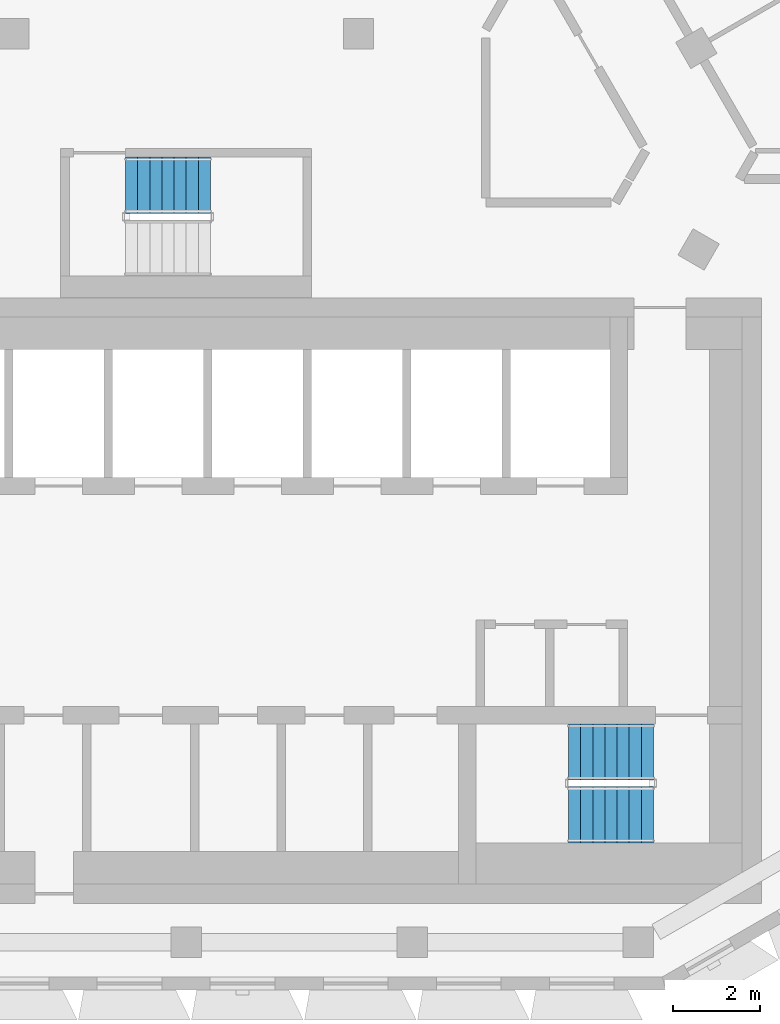
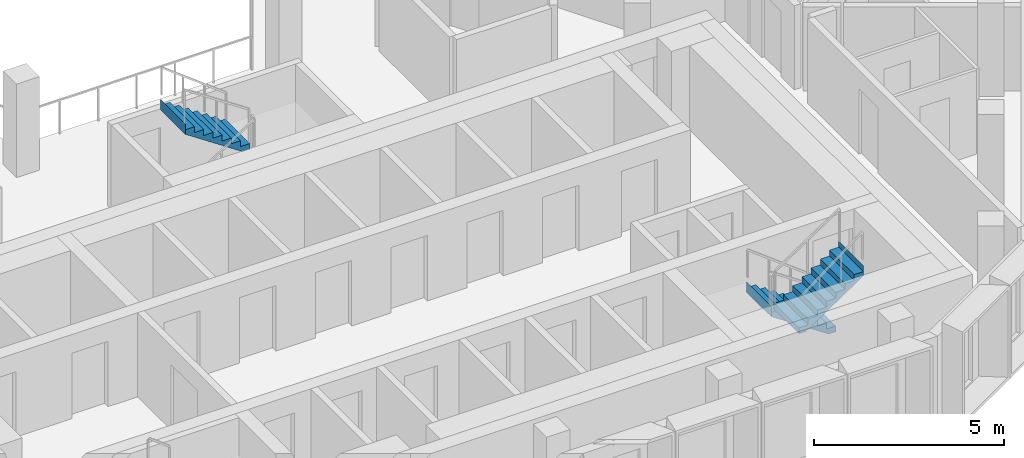
# One storey, part 11 of 16: 3 stair flights, 2 elements without a shape of their own.
"""IFC4 building model written with IfcOpenShell, lengths in metres."""

from ifc_helpers import new_model, si_unit, direction, frame, origin, place, context, subcontext, project, spatial, triangles, material, type_object, element, aggregate, save


model = new_model("IFC4")

# Units and contexts
model_context = context("Model", 3, precision=1e-05, world=origin(), true_north=direction((0.0, 1.0)))
body_context = subcontext(model_context, "Body", "Model", "MODEL_VIEW")
ifc_project = project(units=[si_unit("LENGTHUNIT", "METRE"), si_unit("AREAUNIT", "SQUARE_METRE"), si_unit("VOLUMEUNIT", "CUBIC_METRE"), si_unit("PLANEANGLEUNIT", "RADIAN"), si_unit("MASSUNIT", "GRAM", prefix="KILO")], contexts=[model_context])

# Site, building, storey
site_placement = place(None, origin())
site = spatial("IfcSite", under=ifc_project, at=site_placement, CompositionType="ELEMENT")
building_placement = place(site_placement, origin())
building = spatial("IfcBuilding", under=site, at=building_placement, Name="Beryl Residences", CompositionType="ELEMENT")
storey_placement = place(building_placement, frame((0.0, 0.0, 226.800048828125)))
storey = spatial("IfcBuildingStorey", under=building, at=storey_placement, Name="L70", CompositionType="ELEMENT", Elevation=226.800048828125)

# Stair, stair flights
ifc_material_1 = material(Name="Concrete C40/50", Category="concrete")
stair_type = type_object("IfcStairType", Name="ST1 protected exit stair, half-turn, 1300 mm flights", PredefinedType="HALF_TURN_STAIR", material=ifc_material_1)
stair_1_placement = place(storey_placement, origin())
stair_1 = element("IfcStair", 1, at=stair_1_placement, inside=storey, type_object=stair_type, Name="L70 PROTECTED EXIT STAIR ST-3", PredefinedType="HALF_TURN_STAIR")
ifc_material_2 = material(Name="Concrete C40/50", Category="concrete")
stair_flight_type = type_object("IfcStairFlightType", Name="SF1 stair flight 1300 mm", PredefinedType="STRAIGHT", material=ifc_material_2)
stair_flight_1_placement = place(storey_placement, frame((10.800048828125, -15.5, 0.0), z_axis=(0.0, 0.0, 1.0), x_axis=(-1.0, 0.0, 0.0)))
stair_flight_1 = element("IfcStairFlight", 2, at=stair_flight_1_placement, type_object=stair_flight_type, Name="ST-3 flight 1", NumberOfRisers=8, NumberOfTreads=7, PredefinedType="STRAIGHT", RiserHeight=0.1875, TreadLength=0.28, context=body_context, shape_type="Tessellation", body=[
    triangles([(0.0, -0.64990234375, 0.0), (0.0, -0.324951171875, 0.0), (0.0, 0.0, 0.0), (0.0, 0.324951171875, 0.0), (0.0, 0.64990234375, 0.0), (0.0, -0.64990234375, 0.1875), (0.0, -0.324951171875, 0.1875), (0.0, 0.0, 0.1875), (0.0, 0.324951171875, 0.1875), (0.0, 0.64990234375, 0.1875), (0.280029296875, -0.64990234375, 0.1875), (0.280029296875, -0.324951171875, 0.1875), (0.280029296875, 0.0, 0.1875), (0.280029296875, 0.324951171875, 0.1875), (0.280029296875, 0.64990234375, 0.1875), (0.280029296875, -0.64990234375, 0.375), (0.280029296875, -0.324951171875, 0.375), (0.280029296875, 0.0, 0.375), (0.280029296875, 0.324951171875, 0.375), (0.280029296875, 0.64990234375, 0.375), (0.56005859375, -0.64990234375, 0.375), (0.56005859375, -0.324951171875, 0.375), (0.56005859375, 0.0, 0.375), (0.56005859375, 0.324951171875, 0.375), (0.56005859375, 0.64990234375, 0.375), (0.56005859375, -0.64990234375, 0.5625), (0.56005859375, -0.324951171875, 0.5625), (0.56005859375, 0.0, 0.5625), (0.56005859375, 0.324951171875, 0.5625), (0.56005859375, 0.64990234375, 0.5625), (0.840087890625, -0.64990234375, 0.5625), (0.840087890625, -0.324951171875, 0.5625), (0.840087890625, 0.0, 0.5625), (0.840087890625, 0.324951171875, 0.5625), (0.840087890625, 0.64990234375, 0.5625), (0.840087890625, -0.64990234375, 0.75), (0.840087890625, -0.324951171875, 0.75), (0.840087890625, 0.0, 0.75), (0.840087890625, 0.324951171875, 0.75), (0.840087890625, 0.64990234375, 0.75), (1.1201171875, -0.64990234375, 0.75), (1.1201171875, -0.324951171875, 0.75), (1.1201171875, 0.0, 0.75), (1.1201171875, 0.324951171875, 0.75), (1.1201171875, 0.64990234375, 0.75), (1.1201171875, -0.64990234375, 0.9375), (1.1201171875, -0.324951171875, 0.9375), (1.1201171875, 0.0, 0.9375), (1.1201171875, 0.324951171875, 0.9375), (1.1201171875, 0.64990234375, 0.9375), (1.39990234375, -0.64990234375, 0.9375), (1.39990234375, -0.324951171875, 0.9375), (1.39990234375, 0.0, 0.9375), (1.39990234375, 0.324951171875, 0.9375), (1.39990234375, 0.64990234375, 0.9375), (1.39990234375, -0.64990234375, 1.125), (1.39990234375, -0.324951171875, 1.125), (1.39990234375, 0.0, 1.125), (1.39990234375, 0.324951171875, 1.125), (1.39990234375, 0.64990234375, 1.125), (1.679931640625, -0.64990234375, 1.125), (1.679931640625, -0.324951171875, 1.125), (1.679931640625, 0.0, 1.125), (1.679931640625, 0.324951171875, 1.125), (1.679931640625, 0.64990234375, 1.125), (1.679931640625, -0.64990234375, 1.3125), (1.679931640625, -0.324951171875, 1.3125), (1.679931640625, 0.0, 1.3125), (1.679931640625, 0.324951171875, 1.3125), (1.679931640625, 0.64990234375, 1.3125), (1.9599609375, -0.64990234375, 1.3125), (1.9599609375, -0.324951171875, 1.3125), (1.9599609375, 0.0, 1.3125), (1.9599609375, 0.324951171875, 1.3125), (1.9599609375, 0.64990234375, 1.3125), (1.9599609375, -0.64990234375, 1.5), (1.9599609375, -0.324951171875, 1.5), (1.9599609375, 0.0, 1.5), (1.9599609375, 0.324951171875, 1.5), (1.9599609375, 0.64990234375, 1.5), (1.9609375, -0.64990234375, 1.5), (1.9609375, -0.324951171875, 1.5), (1.9609375, 0.0, 1.5), (1.9609375, 0.324951171875, 1.5), (1.9609375, 0.64990234375, 1.5), (1.9609375, -0.64990234375, 1.16796875), (1.9609375, -0.324951171875, 1.16796875), (1.9609375, 0.0, 1.16796875), (1.9609375, 0.324951171875, 1.16796875), (1.9609375, 0.64990234375, 1.16796875), (0.216796875, -0.64990234375, 0.0), (0.216796875, -0.324951171875, 0.0), (0.216796875, 0.0, 0.0), (0.216796875, 0.324951171875, 0.0), (0.216796875, 0.64990234375, 0.0)], [[1, 6, 7], [1, 7, 2], [2, 7, 8], [2, 8, 3], [3, 8, 9], [3, 9, 4], [4, 9, 10], [4, 10, 5], [6, 11, 12], [6, 12, 7], [7, 12, 13], [7, 13, 8], [8, 13, 14], [8, 14, 9], [9, 14, 15], [9, 15, 10], [11, 16, 17], [11, 17, 12], [12, 17, 18], [12, 18, 13], [13, 18, 19], [13, 19, 14], [14, 19, 20], [14, 20, 15], [16, 21, 22], [16, 22, 17], [17, 22, 23], [17, 23, 18], [18, 23, 24], [18, 24, 19], [19, 24, 25], [19, 25, 20], [21, 26, 27], [21, 27, 22], [22, 27, 28], [22, 28, 23], [23, 28, 29], [23, 29, 24], [24, 29, 30], [24, 30, 25], [26, 31, 32], [26, 32, 27], [27, 32, 33], [27, 33, 28], [28, 33, 34], [28, 34, 29], [29, 34, 35], [29, 35, 30], [31, 36, 37], [31, 37, 32], [32, 37, 38], [32, 38, 33], [33, 38, 39], [33, 39, 34], [34, 39, 40], [34, 40, 35], [36, 41, 42], [36, 42, 37], [37, 42, 43], [37, 43, 38], [38, 43, 44], [38, 44, 39], [39, 44, 45], [39, 45, 40], [41, 46, 47], [41, 47, 42], [42, 47, 48], [42, 48, 43], [43, 48, 49], [43, 49, 44], [44, 49, 50], [44, 50, 45], [46, 51, 52], [46, 52, 47], [47, 52, 53], [47, 53, 48], [48, 53, 54], [48, 54, 49], [49, 54, 55], [49, 55, 50], [51, 56, 57], [51, 57, 52], [52, 57, 58], [52, 58, 53], [53, 58, 59], [53, 59, 54], [54, 59, 60], [54, 60, 55], [56, 61, 62], [56, 62, 57], [57, 62, 63], [57, 63, 58], [58, 63, 64], [58, 64, 59], [59, 64, 65], [59, 65, 60], [61, 66, 67], [61, 67, 62], [62, 67, 68], [62, 68, 63], [63, 68, 69], [63, 69, 64], [64, 69, 70], [64, 70, 65], [66, 71, 72], [66, 72, 67], [67, 72, 73], [67, 73, 68], [68, 73, 74], [68, 74, 69], [69, 74, 75], [69, 75, 70], [71, 76, 77], [71, 77, 72], [72, 77, 78], [72, 78, 73], [73, 78, 79], [73, 79, 74], [74, 79, 80], [74, 80, 75], [76, 81, 82], [76, 82, 77], [77, 82, 83], [77, 83, 78], [78, 83, 84], [78, 84, 79], [79, 84, 85], [79, 85, 80], [81, 86, 87], [81, 87, 82], [82, 87, 88], [82, 88, 83], [83, 88, 89], [83, 89, 84], [84, 89, 90], [84, 90, 85], [86, 91, 92], [86, 92, 87], [87, 92, 93], [87, 93, 88], [88, 93, 94], [88, 94, 89], [89, 94, 95], [89, 95, 90], [91, 1, 2], [91, 2, 92], [92, 2, 3], [92, 3, 93], [93, 3, 4], [93, 4, 94], [94, 4, 5], [94, 5, 95], [1, 91, 86], [5, 90, 95], [86, 81, 76], [90, 80, 85], [86, 76, 71], [90, 75, 80], [86, 71, 66], [90, 70, 75], [86, 66, 61], [90, 65, 70], [61, 56, 51], [65, 55, 60], [86, 61, 51], [90, 55, 65], [51, 46, 41], [55, 45, 50], [86, 51, 41], [90, 45, 55], [41, 36, 31], [45, 35, 40], [86, 41, 31], [90, 35, 45], [31, 26, 21], [35, 25, 30], [86, 31, 21], [90, 25, 35], [21, 16, 11], [25, 15, 20], [86, 21, 11], [90, 15, 25], [1, 86, 11], [5, 15, 90], [11, 6, 1], [15, 5, 10]], closed=True),
])
stair_flight_2_placement = place(storey_placement, frame((8.840087890625, -16.949951171875, 1.5), z_axis=(0.0, 0.0, 1.0), x_axis=(1.0, 0.0, 0.0)))
stair_flight_2 = element("IfcStairFlight", 3, at=stair_flight_2_placement, type_object=stair_flight_type, Name="ST-3 flight 2", NumberOfRisers=8, NumberOfTreads=7, PredefinedType="STRAIGHT", RiserHeight=0.1875, TreadLength=0.28, context=body_context, shape_type="Tessellation", body=[
    triangles([(0.0, -0.64990234375, 0.0), (0.0, -0.324951171875, 0.0), (0.0, 0.0, 0.0), (0.0, 0.324951171875, 0.0), (0.0, 0.64990234375, 0.0), (0.0, -0.64990234375, 0.1875), (0.0, -0.324951171875, 0.1875), (0.0, 0.0, 0.1875), (0.0, 0.324951171875, 0.1875), (0.0, 0.64990234375, 0.1875), (0.280029296875, -0.64990234375, 0.1875), (0.280029296875, -0.324951171875, 0.1875), (0.280029296875, 0.0, 0.1875), (0.280029296875, 0.324951171875, 0.1875), (0.280029296875, 0.64990234375, 0.1875), (0.280029296875, -0.64990234375, 0.375), (0.280029296875, -0.324951171875, 0.375), (0.280029296875, 0.0, 0.375), (0.280029296875, 0.324951171875, 0.375), (0.280029296875, 0.64990234375, 0.375), (0.56005859375, -0.64990234375, 0.375), (0.56005859375, -0.324951171875, 0.375), (0.56005859375, 0.0, 0.375), (0.56005859375, 0.324951171875, 0.375), (0.56005859375, 0.64990234375, 0.375), (0.56005859375, -0.64990234375, 0.5625), (0.56005859375, -0.324951171875, 0.5625), (0.56005859375, 0.0, 0.5625), (0.56005859375, 0.324951171875, 0.5625), (0.56005859375, 0.64990234375, 0.5625), (0.840087890625, -0.64990234375, 0.5625), (0.840087890625, -0.324951171875, 0.5625), (0.840087890625, 0.0, 0.5625), (0.840087890625, 0.324951171875, 0.5625), (0.840087890625, 0.64990234375, 0.5625), (0.840087890625, -0.64990234375, 0.75), (0.840087890625, -0.324951171875, 0.75), (0.840087890625, 0.0, 0.75), (0.840087890625, 0.324951171875, 0.75), (0.840087890625, 0.64990234375, 0.75), (1.1201171875, -0.64990234375, 0.75), (1.1201171875, -0.324951171875, 0.75), (1.1201171875, 0.0, 0.75), (1.1201171875, 0.324951171875, 0.75), (1.1201171875, 0.64990234375, 0.75), (1.1201171875, -0.64990234375, 0.9375), (1.1201171875, -0.324951171875, 0.9375), (1.1201171875, 0.0, 0.9375), (1.1201171875, 0.324951171875, 0.9375), (1.1201171875, 0.64990234375, 0.9375), (1.39990234375, -0.64990234375, 0.9375), (1.39990234375, -0.324951171875, 0.9375), (1.39990234375, 0.0, 0.9375), (1.39990234375, 0.324951171875, 0.9375), (1.39990234375, 0.64990234375, 0.9375), (1.39990234375, -0.64990234375, 1.125), (1.39990234375, -0.324951171875, 1.125), (1.39990234375, 0.0, 1.125), (1.39990234375, 0.324951171875, 1.125), (1.39990234375, 0.64990234375, 1.125), (1.679931640625, -0.64990234375, 1.125), (1.679931640625, -0.324951171875, 1.125), (1.679931640625, 0.0, 1.125), (1.679931640625, 0.324951171875, 1.125), (1.679931640625, 0.64990234375, 1.125), (1.679931640625, -0.64990234375, 1.3125), (1.679931640625, -0.324951171875, 1.3125), (1.679931640625, 0.0, 1.3125), (1.679931640625, 0.324951171875, 1.3125), (1.679931640625, 0.64990234375, 1.3125), (1.9599609375, -0.64990234375, 1.3125), (1.9599609375, -0.324951171875, 1.3125), (1.9599609375, 0.0, 1.3125), (1.9599609375, 0.324951171875, 1.3125), (1.9599609375, 0.64990234375, 1.3125), (1.9599609375, -0.64990234375, 1.5), (1.9599609375, -0.324951171875, 1.5), (1.9599609375, 0.0, 1.5), (1.9599609375, 0.324951171875, 1.5), (1.9599609375, 0.64990234375, 1.5), (1.9609375, -0.64990234375, 1.5), (1.9609375, -0.324951171875, 1.5), (1.9609375, 0.0, 1.5), (1.9609375, 0.324951171875, 1.5), (1.9609375, 0.64990234375, 1.5), (1.9609375, -0.64990234375, 1.16796875), (1.9609375, -0.324951171875, 1.16796875), (1.9609375, 0.0, 1.16796875), (1.9609375, 0.324951171875, 1.16796875), (1.9609375, 0.64990234375, 1.16796875), (0.216796875, -0.64990234375, 0.0), (0.216796875, -0.324951171875, 0.0), (0.216796875, 0.0, 0.0), (0.216796875, 0.324951171875, 0.0), (0.216796875, 0.64990234375, 0.0)], [[1, 6, 7], [1, 7, 2], [2, 7, 8], [2, 8, 3], [3, 8, 9], [3, 9, 4], [4, 9, 10], [4, 10, 5], [6, 11, 12], [6, 12, 7], [7, 12, 13], [7, 13, 8], [8, 13, 14], [8, 14, 9], [9, 14, 15], [9, 15, 10], [11, 16, 17], [11, 17, 12], [12, 17, 18], [12, 18, 13], [13, 18, 19], [13, 19, 14], [14, 19, 20], [14, 20, 15], [16, 21, 22], [16, 22, 17], [17, 22, 23], [17, 23, 18], [18, 23, 24], [18, 24, 19], [19, 24, 25], [19, 25, 20], [21, 26, 27], [21, 27, 22], [22, 27, 28], [22, 28, 23], [23, 28, 29], [23, 29, 24], [24, 29, 30], [24, 30, 25], [26, 31, 32], [26, 32, 27], [27, 32, 33], [27, 33, 28], [28, 33, 34], [28, 34, 29], [29, 34, 35], [29, 35, 30], [31, 36, 37], [31, 37, 32], [32, 37, 38], [32, 38, 33], [33, 38, 39], [33, 39, 34], [34, 39, 40], [34, 40, 35], [36, 41, 42], [36, 42, 37], [37, 42, 43], [37, 43, 38], [38, 43, 44], [38, 44, 39], [39, 44, 45], [39, 45, 40], [41, 46, 47], [41, 47, 42], [42, 47, 48], [42, 48, 43], [43, 48, 49], [43, 49, 44], [44, 49, 50], [44, 50, 45], [46, 51, 52], [46, 52, 47], [47, 52, 53], [47, 53, 48], [48, 53, 54], [48, 54, 49], [49, 54, 55], [49, 55, 50], [51, 56, 57], [51, 57, 52], [52, 57, 58], [52, 58, 53], [53, 58, 59], [53, 59, 54], [54, 59, 60], [54, 60, 55], [56, 61, 62], [56, 62, 57], [57, 62, 63], [57, 63, 58], [58, 63, 64], [58, 64, 59], [59, 64, 65], [59, 65, 60], [61, 66, 67], [61, 67, 62], [62, 67, 68], [62, 68, 63], [63, 68, 69], [63, 69, 64], [64, 69, 70], [64, 70, 65], [66, 71, 72], [66, 72, 67], [67, 72, 73], [67, 73, 68], [68, 73, 74], [68, 74, 69], [69, 74, 75], [69, 75, 70], [71, 76, 77], [71, 77, 72], [72, 77, 78], [72, 78, 73], [73, 78, 79], [73, 79, 74], [74, 79, 80], [74, 80, 75], [76, 81, 82], [76, 82, 77], [77, 82, 83], [77, 83, 78], [78, 83, 84], [78, 84, 79], [79, 84, 85], [79, 85, 80], [81, 86, 87], [81, 87, 82], [82, 87, 88], [82, 88, 83], [83, 88, 89], [83, 89, 84], [84, 89, 90], [84, 90, 85], [86, 91, 92], [86, 92, 87], [87, 92, 93], [87, 93, 88], [88, 93, 94], [88, 94, 89], [89, 94, 95], [89, 95, 90], [91, 1, 2], [91, 2, 92], [92, 2, 3], [92, 3, 93], [93, 3, 4], [93, 4, 94], [94, 4, 5], [94, 5, 95], [1, 91, 86], [5, 90, 95], [86, 81, 76], [90, 80, 85], [86, 76, 71], [90, 75, 80], [86, 71, 66], [90, 70, 75], [86, 66, 61], [90, 65, 70], [61, 56, 51], [65, 55, 60], [86, 61, 51], [90, 55, 65], [51, 46, 41], [55, 45, 50], [86, 51, 41], [90, 45, 55], [41, 36, 31], [45, 35, 40], [86, 41, 31], [90, 35, 45], [31, 26, 21], [35, 25, 30], [86, 31, 21], [90, 25, 35], [21, 16, 11], [25, 15, 20], [86, 21, 11], [90, 15, 25], [1, 86, 11], [5, 15, 90], [11, 6, 1], [15, 5, 10]], closed=True),
])
aggregate(stair_1, [stair_flight_1, stair_flight_2])

# Stair, stair flight
stair_2_placement = place(storey_placement, origin())
stair_2 = element("IfcStair", 4, at=stair_2_placement, inside=storey, type_object=stair_type, Name="L70 PROTECTED EXIT STAIR ST-4", PredefinedType="HALF_TURN_STAIR")
stair_flight_3_placement = place(storey_placement, frame((0.56005859375, -2.39990234375, 1.5), z_axis=(0.0, 0.0, 1.0), x_axis=(-1.0, 0.0, 0.0)))
stair_flight_3 = element("IfcStairFlight", 5, at=stair_flight_3_placement, type_object=stair_flight_type, Name="ST-4 flight 2", NumberOfRisers=8, NumberOfTreads=7, PredefinedType="STRAIGHT", RiserHeight=0.1875, TreadLength=0.28, context=body_context, shape_type="Tessellation", body=[
    triangles([(0.0, -0.64990234375, 0.0), (0.0, -0.324951171875, 0.0), (0.0, 0.0, 0.0), (0.0, 0.324951171875, 0.0), (0.0, 0.64990234375, 0.0), (0.0, -0.64990234375, 0.1875), (0.0, -0.324951171875, 0.1875), (0.0, 0.0, 0.1875), (0.0, 0.324951171875, 0.1875), (0.0, 0.64990234375, 0.1875), (0.280029296875, -0.64990234375, 0.1875), (0.280029296875, -0.324951171875, 0.1875), (0.280029296875, 0.0, 0.1875), (0.280029296875, 0.324951171875, 0.1875), (0.280029296875, 0.64990234375, 0.1875), (0.280029296875, -0.64990234375, 0.375), (0.280029296875, -0.324951171875, 0.375), (0.280029296875, 0.0, 0.375), (0.280029296875, 0.324951171875, 0.375), (0.280029296875, 0.64990234375, 0.375), (0.56005859375, -0.64990234375, 0.375), (0.56005859375, -0.324951171875, 0.375), (0.56005859375, 0.0, 0.375), (0.56005859375, 0.324951171875, 0.375), (0.56005859375, 0.64990234375, 0.375), (0.56005859375, -0.64990234375, 0.5625), (0.56005859375, -0.324951171875, 0.5625), (0.56005859375, 0.0, 0.5625), (0.56005859375, 0.324951171875, 0.5625), (0.56005859375, 0.64990234375, 0.5625), (0.840087890625, -0.64990234375, 0.5625), (0.840087890625, -0.324951171875, 0.5625), (0.840087890625, 0.0, 0.5625), (0.840087890625, 0.324951171875, 0.5625), (0.840087890625, 0.64990234375, 0.5625), (0.840087890625, -0.64990234375, 0.75), (0.840087890625, -0.324951171875, 0.75), (0.840087890625, 0.0, 0.75), (0.840087890625, 0.324951171875, 0.75), (0.840087890625, 0.64990234375, 0.75), (1.1201171875, -0.64990234375, 0.75), (1.1201171875, -0.324951171875, 0.75), (1.1201171875, 0.0, 0.75), (1.1201171875, 0.324951171875, 0.75), (1.1201171875, 0.64990234375, 0.75), (1.1201171875, -0.64990234375, 0.9375), (1.1201171875, -0.324951171875, 0.9375), (1.1201171875, 0.0, 0.9375), (1.1201171875, 0.324951171875, 0.9375), (1.1201171875, 0.64990234375, 0.9375), (1.39990234375, -0.64990234375, 0.9375), (1.39990234375, -0.324951171875, 0.9375), (1.39990234375, 0.0, 0.9375), (1.39990234375, 0.324951171875, 0.9375), (1.39990234375, 0.64990234375, 0.9375), (1.39990234375, -0.64990234375, 1.125), (1.39990234375, -0.324951171875, 1.125), (1.39990234375, 0.0, 1.125), (1.39990234375, 0.324951171875, 1.125), (1.39990234375, 0.64990234375, 1.125), (1.679931640625, -0.64990234375, 1.125), (1.679931640625, -0.324951171875, 1.125), (1.679931640625, 0.0, 1.125), (1.679931640625, 0.324951171875, 1.125), (1.679931640625, 0.64990234375, 1.125), (1.679931640625, -0.64990234375, 1.3125), (1.679931640625, -0.324951171875, 1.3125), (1.679931640625, 0.0, 1.3125), (1.679931640625, 0.324951171875, 1.3125), (1.679931640625, 0.64990234375, 1.3125), (1.9599609375, -0.64990234375, 1.3125), (1.9599609375, -0.324951171875, 1.3125), (1.9599609375, 0.0, 1.3125), (1.9599609375, 0.324951171875, 1.3125), (1.9599609375, 0.64990234375, 1.3125), (1.9599609375, -0.64990234375, 1.5), (1.9599609375, -0.324951171875, 1.5), (1.9599609375, 0.0, 1.5), (1.9599609375, 0.324951171875, 1.5), (1.9599609375, 0.64990234375, 1.5), (1.9609375, -0.64990234375, 1.5), (1.9609375, -0.324951171875, 1.5), (1.9609375, 0.0, 1.5), (1.9609375, 0.324951171875, 1.5), (1.9609375, 0.64990234375, 1.5), (1.9609375, -0.64990234375, 1.16796875), (1.9609375, -0.324951171875, 1.16796875), (1.9609375, 0.0, 1.16796875), (1.9609375, 0.324951171875, 1.16796875), (1.9609375, 0.64990234375, 1.16796875), (0.216796875, -0.64990234375, 0.0), (0.216796875, -0.324951171875, 0.0), (0.216796875, 0.0, 0.0), (0.216796875, 0.324951171875, 0.0), (0.216796875, 0.64990234375, 0.0)], [[1, 6, 7], [1, 7, 2], [2, 7, 8], [2, 8, 3], [3, 8, 9], [3, 9, 4], [4, 9, 10], [4, 10, 5], [6, 11, 12], [6, 12, 7], [7, 12, 13], [7, 13, 8], [8, 13, 14], [8, 14, 9], [9, 14, 15], [9, 15, 10], [11, 16, 17], [11, 17, 12], [12, 17, 18], [12, 18, 13], [13, 18, 19], [13, 19, 14], [14, 19, 20], [14, 20, 15], [16, 21, 22], [16, 22, 17], [17, 22, 23], [17, 23, 18], [18, 23, 24], [18, 24, 19], [19, 24, 25], [19, 25, 20], [21, 26, 27], [21, 27, 22], [22, 27, 28], [22, 28, 23], [23, 28, 29], [23, 29, 24], [24, 29, 30], [24, 30, 25], [26, 31, 32], [26, 32, 27], [27, 32, 33], [27, 33, 28], [28, 33, 34], [28, 34, 29], [29, 34, 35], [29, 35, 30], [31, 36, 37], [31, 37, 32], [32, 37, 38], [32, 38, 33], [33, 38, 39], [33, 39, 34], [34, 39, 40], [34, 40, 35], [36, 41, 42], [36, 42, 37], [37, 42, 43], [37, 43, 38], [38, 43, 44], [38, 44, 39], [39, 44, 45], [39, 45, 40], [41, 46, 47], [41, 47, 42], [42, 47, 48], [42, 48, 43], [43, 48, 49], [43, 49, 44], [44, 49, 50], [44, 50, 45], [46, 51, 52], [46, 52, 47], [47, 52, 53], [47, 53, 48], [48, 53, 54], [48, 54, 49], [49, 54, 55], [49, 55, 50], [51, 56, 57], [51, 57, 52], [52, 57, 58], [52, 58, 53], [53, 58, 59], [53, 59, 54], [54, 59, 60], [54, 60, 55], [56, 61, 62], [56, 62, 57], [57, 62, 63], [57, 63, 58], [58, 63, 64], [58, 64, 59], [59, 64, 65], [59, 65, 60], [61, 66, 67], [61, 67, 62], [62, 67, 68], [62, 68, 63], [63, 68, 69], [63, 69, 64], [64, 69, 70], [64, 70, 65], [66, 71, 72], [66, 72, 67], [67, 72, 73], [67, 73, 68], [68, 73, 74], [68, 74, 69], [69, 74, 75], [69, 75, 70], [71, 76, 77], [71, 77, 72], [72, 77, 78], [72, 78, 73], [73, 78, 79], [73, 79, 74], [74, 79, 80], [74, 80, 75], [76, 81, 82], [76, 82, 77], [77, 82, 83], [77, 83, 78], [78, 83, 84], [78, 84, 79], [79, 84, 85], [79, 85, 80], [81, 86, 87], [81, 87, 82], [82, 87, 88], [82, 88, 83], [83, 88, 89], [83, 89, 84], [84, 89, 90], [84, 90, 85], [86, 91, 92], [86, 92, 87], [87, 92, 93], [87, 93, 88], [88, 93, 94], [88, 94, 89], [89, 94, 95], [89, 95, 90], [91, 1, 2], [91, 2, 92], [92, 2, 3], [92, 3, 93], [93, 3, 4], [93, 4, 94], [94, 4, 5], [94, 5, 95], [1, 91, 86], [5, 90, 95], [86, 81, 76], [90, 80, 85], [86, 76, 71], [90, 75, 80], [86, 71, 66], [90, 70, 75], [86, 66, 61], [90, 65, 70], [61, 56, 51], [65, 55, 60], [86, 61, 51], [90, 55, 65], [51, 46, 41], [55, 45, 50], [86, 51, 41], [90, 45, 55], [41, 36, 31], [45, 35, 40], [86, 41, 31], [90, 35, 45], [31, 26, 21], [35, 25, 30], [86, 31, 21], [90, 25, 35], [21, 16, 11], [25, 15, 20], [86, 21, 11], [90, 15, 25], [1, 86, 11], [5, 15, 90], [11, 6, 1], [15, 5, 10]], closed=True),
])
aggregate(stair_2, [stair_flight_3])

save(model, "model.ifc")
